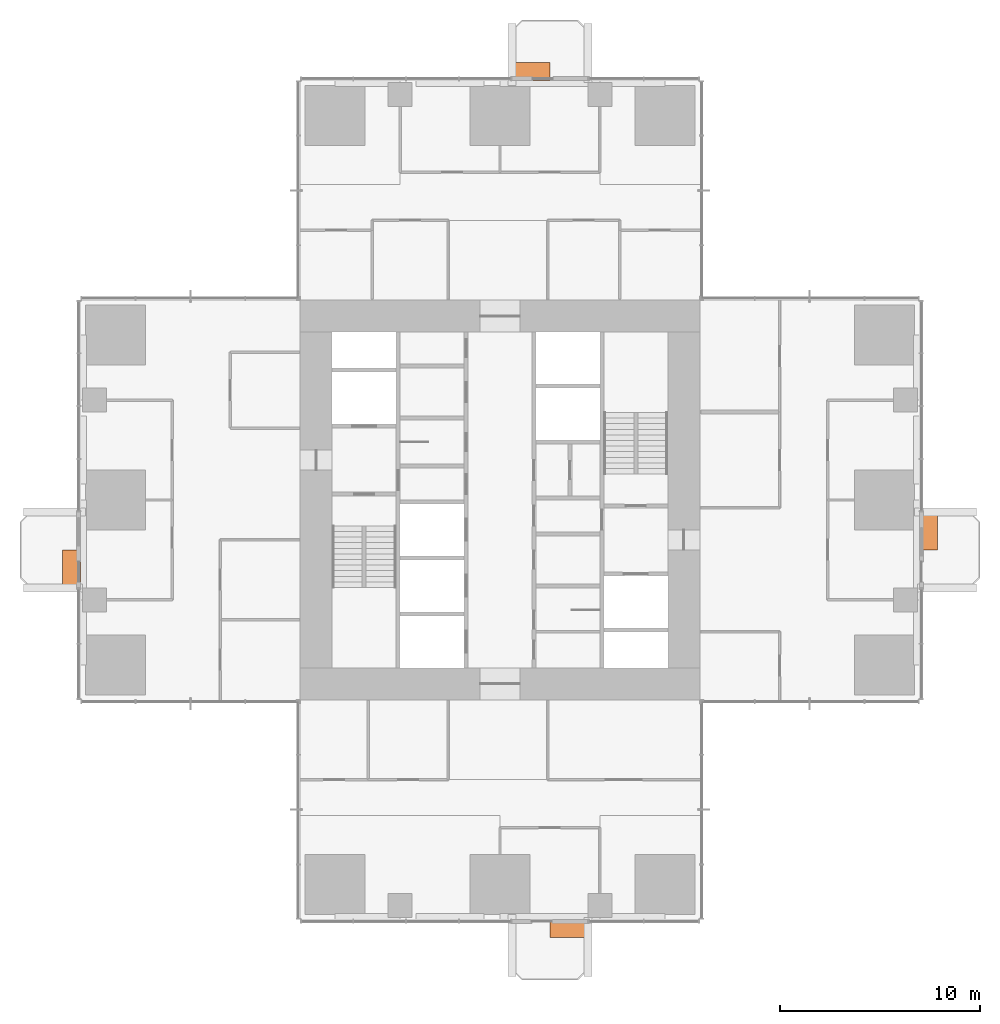
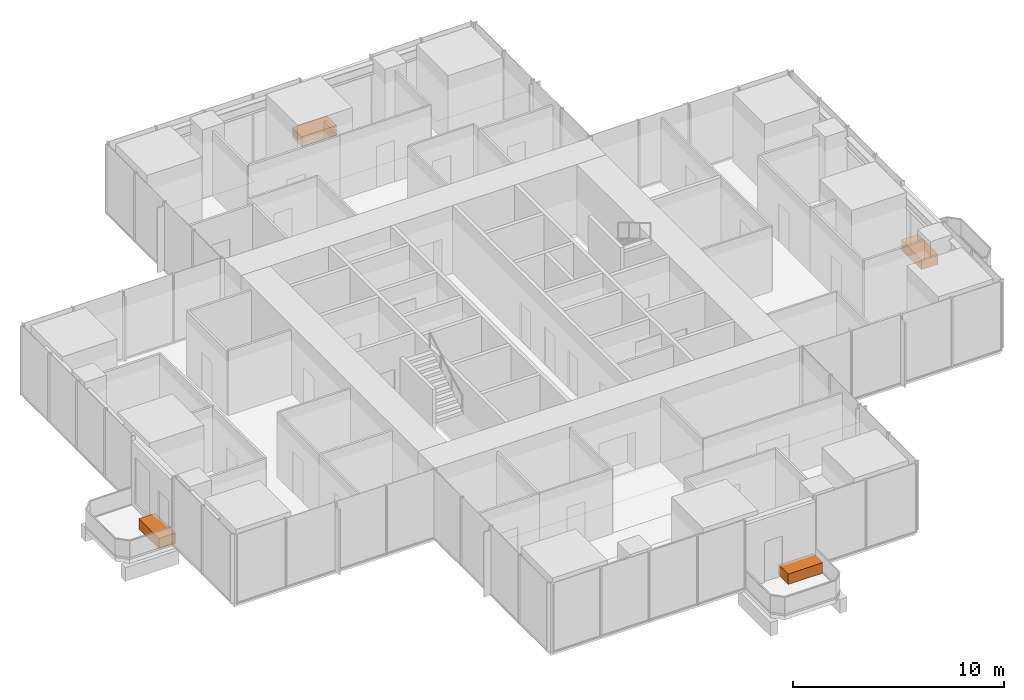
# One storey, part 14 of 14: 4 proxies.
"""IFC4 building model written with IfcOpenShell, lengths in metres."""

from ifc_helpers import new_model, si_unit, direction, frame, origin, origin_2d, place, context, subcontext, project, spatial, rectangle, extrude, element, save


model = new_model("IFC4")

# Units and contexts
model_context = context("Model", 3, precision=1e-05, world=origin(), true_north=direction((0.0, 1.0)))
body_context = subcontext(model_context, "Body", "Model", "MODEL_VIEW")
ifc_project = project(units=[si_unit("LENGTHUNIT", "METRE"), si_unit("AREAUNIT", "SQUARE_METRE"), si_unit("VOLUMEUNIT", "CUBIC_METRE"), si_unit("PLANEANGLEUNIT", "RADIAN"), si_unit("MASSUNIT", "GRAM", prefix="KILO")], contexts=[model_context])

# Site, building, storey
site_placement = place(None, origin())
site = spatial("IfcSite", under=ifc_project, at=site_placement, CompositionType="ELEMENT")
building_placement = place(site_placement, origin())
building = spatial("IfcBuilding", under=site, at=building_placement, Name="Svetlomir Tower", CompositionType="ELEMENT")
storey_placement = place(building_placement, frame((0.0, 0.0, 112.5)))
storey = spatial("IfcBuildingStorey", under=building, at=storey_placement, Name="L26", CompositionType="ELEMENT", Elevation=112.5)

# Proxies
proxy_1_placement = place(storey_placement, frame((24.449951171875, -0.449951171875, 0.0400390625), z_axis=(0.0, 0.0, 1.0), x_axis=(1.0, 0.0, 0.0)))
element("IfcBuildingElementProxy", 1, at=proxy_1_placement, inside=storey, Name="Tree planter S L26", ObjectType="PLANTER", PredefinedType="USERDEFINED", context=body_context, shape_type="SweptSolid", body=[
    extrude(rectangle(XDim=1.89990234375, YDim=0.89990234375, at=origin_2d()), origin(), (0.0, 0.0, 1.0), 0.60009765625),
])
proxy_2_placement = place(storey_placement, frame((42.449951171875, 19.449951171875, 0.0400390625), z_axis=(0.0, 0.0, 1.0), x_axis=(1.0, 0.0, 0.0)))
element("IfcBuildingElementProxy", 2, at=proxy_2_placement, inside=storey, Name="Tree planter E L26", ObjectType="PLANTER", PredefinedType="USERDEFINED", context=body_context, shape_type="SweptSolid", body=[
    extrude(rectangle(XDim=0.89990234375, YDim=1.89990234375, at=origin_2d()), origin(), (0.0, 0.0, 1.0), 0.60009765625),
])
proxy_3_placement = place(storey_placement, frame((22.550048828125, 42.449951171875, 0.0400390625), z_axis=(0.0, 0.0, 1.0), x_axis=(1.0, 0.0, 0.0)))
element("IfcBuildingElementProxy", 3, at=proxy_3_placement, inside=storey, Name="Tree planter N L26", ObjectType="PLANTER", PredefinedType="USERDEFINED", context=body_context, shape_type="SweptSolid", body=[
    extrude(rectangle(XDim=1.89990234375, YDim=0.89990234375, at=origin_2d()), origin(), (0.0, 0.0, 1.0), 0.60009765625),
])
proxy_4_placement = place(storey_placement, frame((-0.449951171875, 17.550048828125, 0.0400390625), z_axis=(0.0, 0.0, 1.0), x_axis=(1.0, 0.0, 0.0)))
element("IfcBuildingElementProxy", 4, at=proxy_4_placement, inside=storey, Name="Tree planter W L26", ObjectType="PLANTER", PredefinedType="USERDEFINED", context=body_context, shape_type="SweptSolid", body=[
    extrude(rectangle(XDim=0.89990234375, YDim=1.89990234375, at=origin_2d()), origin(), (0.0, 0.0, 1.0), 0.60009765625),
])

save(model, "model.ifc")
